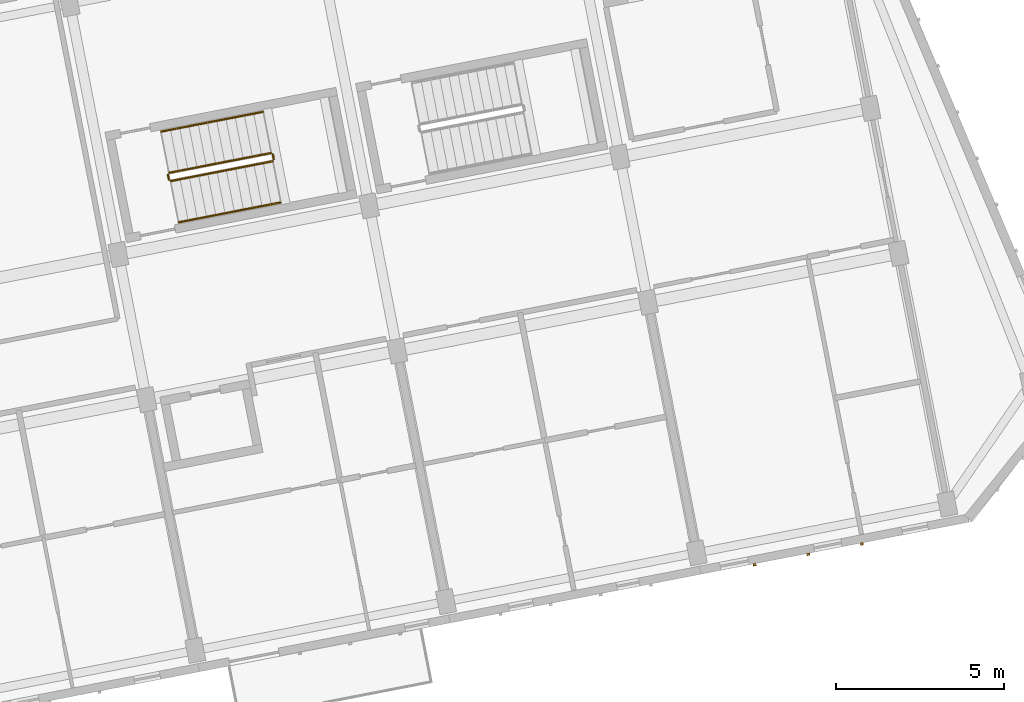
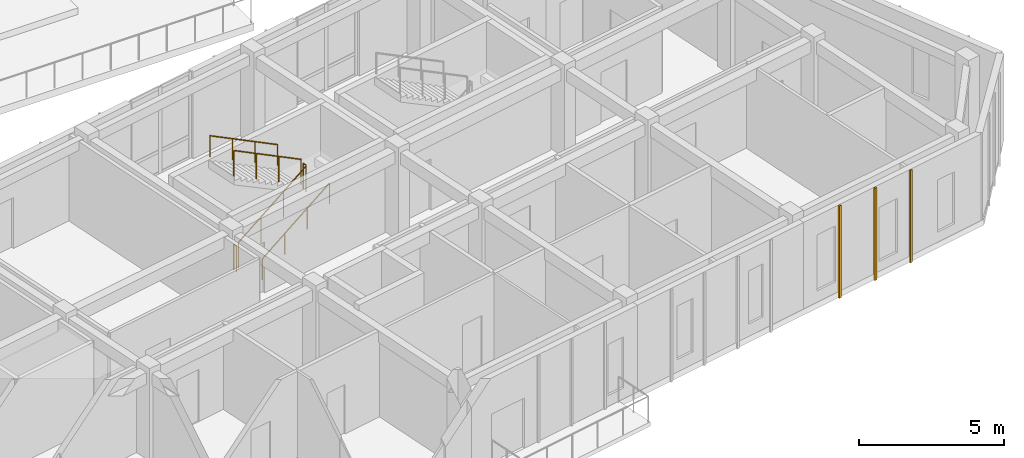
# One storey, part 142 of 150: 6 railings, 3 coverings.
"""IFC4 building model written with IfcOpenShell, lengths in metres."""

import ifcopenshell
import ifcopenshell.guid

model = None  # the IFC model being written
_history = None  # IfcOwnerHistory: only IFC2X3 demands one
_inside = {}  # id of a spatial element -> (the spatial element, [elements in it])
_under = {}  # id of a project, library or spatial element -> (it, [spatial elements below it])
_declared = {}  # id of a project -> (the project, [libraries it declares])
_typed = {}  # id of a type object -> (the type object, [elements of that type])
_made_of = {}  # id of a material, layer set ... -> (it, [elements and type objects made of it])


def new_model(schema):
    """Start an empty IFC model of exactly this schema.

    Asked for "IFC4X3", IfcOpenShell would pick the latest addendum, in which some entities
    have other attributes; the version numbers below select the first issue.
    IFC2X3 requires an IfcOwnerHistory on every rooted entity: one is made here for all.
    """
    global model, _history
    if schema == "IFC4X3":
        model = ifcopenshell.file(schema_version=(4, 3, 0, 0))
    else:
        model = ifcopenshell.file(schema=schema)
    _inside.clear()
    _under.clear()
    _declared.clear()
    _typed.clear()
    _made_of.clear()
    _history = None
    if model.schema == "IFC2X3":
        org = make("IfcOrganization", Name="unknown")
        user = make(
            "IfcPersonAndOrganization",
            ThePerson=make("IfcPerson", FamilyName="unknown"),
            TheOrganization=org,
        )
        app = make(
            "IfcApplication",
            ApplicationDeveloper=org,
            Version="unknown",
            ApplicationFullName="unknown",
            ApplicationIdentifier="unknown",
        )
        _history = make(
            "IfcOwnerHistory",
            OwningUser=user,
            OwningApplication=app,
            ChangeAction="ADDED",
            CreationDate=0,
        )
    return model


def make(cls, **values):
    """One entity of the class cls with the attributes given. An attribute that is None is left unset."""
    return model.create_entity(
        cls, **{name: value for name, value in values.items() if value is not None}
    )


def rooted(cls, **values):
    """An entity with a GlobalId (a new one), such as an element, a storey or a relation."""
    return make(cls, GlobalId=ifcopenshell.guid.new(), OwnerHistory=_history, **values)


def si_unit(unit_type, name, prefix=None):
    """IfcSIUnit, for example si_unit("LENGTHUNIT", "METRE", prefix="MILLI")."""
    return make("IfcSIUnit", UnitType=unit_type, Prefix=prefix, Name=name)


def assignment(units):
    """IfcUnitAssignment: the units of a project."""
    return None if units is None else make("IfcUnitAssignment", Units=units)


def point(xyz):
    """IfcCartesianPoint."""
    return None if xyz is None else make("IfcCartesianPoint", Coordinates=xyz)


def direction(xyz):
    """IfcDirection."""
    return None if xyz is None else make("IfcDirection", DirectionRatios=xyz)


def frame(location, z_axis=None, x_axis=None):
    """IfcAxis2Placement3D, a coordinate frame: its origin and axes. An axis left out is left unset."""
    return make(
        "IfcAxis2Placement3D",
        Location=point(location),
        Axis=direction(z_axis),
        RefDirection=direction(x_axis),
    )


def frame_2d(location, x_axis=None):
    """IfcAxis2Placement2D, a coordinate frame in the plane: its origin and x axis."""
    return make(
        "IfcAxis2Placement2D", Location=point(location), RefDirection=direction(x_axis)
    )


def origin():
    """The frame at (0, 0, 0) with its axes left unset."""
    return frame((0.0, 0.0, 0.0))


def origin_2d():
    """The frame at (0, 0) in the plane with its x axis left unset."""
    return frame_2d((0.0, 0.0))


def place(relative_to, where):
    """IfcLocalPlacement: puts the frame where relative to a parent placement (None: the world)."""
    return make(
        "IfcLocalPlacement", PlacementRelTo=relative_to, RelativePlacement=where
    )


def context(
    kind, dimensions, precision=None, world=None, true_north=None, identifier=None
):
    """IfcGeometricRepresentationContext, for example the 3D "Model" context."""
    return make(
        "IfcGeometricRepresentationContext",
        ContextIdentifier=identifier,
        ContextType=kind,
        CoordinateSpaceDimension=dimensions,
        Precision=precision,
        WorldCoordinateSystem=world,
        TrueNorth=true_north,
    )


def subcontext(parent, identifier, kind, view, scale=None):
    """IfcGeometricRepresentationSubContext, for example "Body" below "Model"."""
    return make(
        "IfcGeometricRepresentationSubContext",
        ContextIdentifier=identifier,
        ContextType=kind,
        ParentContext=parent,
        TargetScale=scale,
        TargetView=view,
    )


def project(units=None, contexts=None):
    """IfcProject with its units and contexts."""
    return rooted(
        "IfcProject",
        Name="project",
        RepresentationContexts=contexts,
        UnitsInContext=assignment(units),
    )


def spatial(cls, under=None, at=None, **own):
    """A site, building, storey or space (cls), placed at a placement, below another one or the project."""
    s = rooted(cls, ObjectPlacement=at, **own)
    if under is not None:
        _under.setdefault(under.id(), (under, []))[1].append(s)
    return s


def profile(cls, at=None, kind="AREA", **sizes):
    """A parametric profile (cls). Its sizes go by their IFC names, for example OverallWidth=200.0."""
    return make(cls, ProfileType=kind, Position=at, **sizes)


def rectangle(**sizes):
    """IfcRectangleProfileDef."""
    return profile("IfcRectangleProfileDef", **sizes)


def circle(**sizes):
    """IfcCircleProfileDef."""
    return profile("IfcCircleProfileDef", **sizes)


def extrude(swept, where, along, depth):
    """IfcExtrudedAreaSolid: the profile swept, set in the frame where, extruded along a direction by depth."""
    return make(
        "IfcExtrudedAreaSolid",
        SweptArea=swept,
        Position=where,
        ExtrudedDirection=direction(along),
        Depth=depth,
    )


def shape(context_of_items, identifier, shape_type, items):
    """IfcShapeRepresentation: the items that make up one representation, for example the "Body"."""
    return make(
        "IfcShapeRepresentation",
        ContextOfItems=context_of_items,
        RepresentationIdentifier=identifier,
        RepresentationType=shape_type,
        Items=items,
    )


def material(Name=None, Category=None):
    """IfcMaterial."""
    return make("IfcMaterial", Name=Name, Category=Category)


def layer(
    of_material, thickness, ventilated=None, Name=None, Category=None, Priority=None
):
    """IfcMaterialLayer: one layer of a wall or slab, of a material (None: an air gap)."""
    return make(
        "IfcMaterialLayer",
        Material=of_material,
        LayerThickness=thickness,
        IsVentilated=ventilated,
        Name=Name,
        Category=Category,
        Priority=Priority,
    )


def layer_set(layers, Name=None):
    """IfcMaterialLayerSet."""
    return make("IfcMaterialLayerSet", MaterialLayers=layers, LayerSetName=Name)


def made_of(thing, what):
    """Note that an element or type object is made of a material, layer set ...; save() writes the relation."""
    if what is not None:
        _made_of.setdefault(what.id(), (what, []))[1].append(thing)
    return thing


def type_object(cls, material=None, **own):
    """A type object (cls), such as IfcWallType, which elements share."""
    return made_of(rooted(cls, **own), material)


def element(
    cls,
    number,
    at=None,
    inside=None,
    cuts=None,
    type_object=None,
    material=None,
    context=None,
    identifier="Body",
    shape_type=None,
    held_by="IfcProductDefinitionShape",
    body=None,
    shapes=None,
    **own,
):
    """One element of the class cls, such as IfcWall. Its Tag is "e" and its number.

    at: its placement. inside: the storey or other place that contains it. cuts: it is an
    opening in that element (IfcRelVoidsElement). A single representation is given by context,
    identifier, shape_type and body (its items); several are given by shapes. held_by: the class
    of the entity that holds the representations. save() writes the other relations.
    """
    e = rooted(cls, Tag="e%d" % number, ObjectPlacement=at, **own)
    if body is not None:
        shapes = [shape(context, identifier, shape_type, body)]
    if shapes is not None:
        e.Representation = make(held_by, Representations=shapes)
    if inside is not None:
        _inside.setdefault(inside.id(), (inside, []))[1].append(e)
    if cuts is not None:
        rooted(
            "IfcRelVoidsElement", RelatingBuildingElement=cuts, RelatedOpeningElement=e
        )
    if type_object is not None:
        _typed.setdefault(type_object.id(), (type_object, []))[1].append(e)
    return made_of(e, material)


def aggregate(whole, parts):
    """IfcRelAggregates: a whole, such as a stair, and the parts it consists of."""
    return rooted("IfcRelAggregates", RelatingObject=whole, RelatedObjects=parts)


def save(model, path):
    """Write the relations noted so far, then the file.

    IfcRelAggregates (storeys below a building ...), IfcRelContainedInSpatialStructure (elements
    in a storey), IfcRelDefinesByType, IfcRelAssociatesMaterial and IfcRelDeclares: one each for
    every whole, place, type object, material and project.
    """
    for whole, parts in _under.values():
        aggregate(whole, parts)
    for where, things in _inside.values():
        rooted(
            "IfcRelContainedInSpatialStructure",
            RelatedElements=things,
            RelatingStructure=where,
        )
    for kind, things in _typed.values():
        rooted("IfcRelDefinesByType", RelatedObjects=things, RelatingType=kind)
    for what, things in _made_of.values():
        rooted("IfcRelAssociatesMaterial", RelatedObjects=things, RelatingMaterial=what)
    for by, libraries in _declared.values():
        rooted("IfcRelDeclares", RelatingContext=by, RelatedDefinitions=libraries)
    model.write(path)


model = new_model("IFC4")

# Units and contexts
model_context = context("Model", 3, precision=1e-05, world=origin(), true_north=direction((0.0, 1.0)))
body_context = subcontext(model_context, "Body", "Model", "MODEL_VIEW")
ifc_project = project(units=[si_unit("LENGTHUNIT", "METRE"), si_unit("AREAUNIT", "SQUARE_METRE"), si_unit("VOLUMEUNIT", "CUBIC_METRE"), si_unit("PLANEANGLEUNIT", "RADIAN"), si_unit("MASSUNIT", "GRAM", prefix="KILO")], contexts=[model_context])

# Site, building, storey
site_placement = place(None, origin())
site = spatial("IfcSite", under=ifc_project, at=site_placement, CompositionType="ELEMENT")
building_placement = place(site_placement, origin())
building = spatial("IfcBuilding", under=site, at=building_placement, Name="Kestramere Prow Commons", CompositionType="ELEMENT")
storey_placement = place(building_placement, frame((0.0, 0.0, 4.5)))
storey = spatial("IfcBuildingStorey", under=building, at=storey_placement, Name="L01", CompositionType="ELEMENT", Elevation=4.5)

# Coverings
ifc_material_1 = material(Name="Weathered Zinc-Titanium Standing-Seam Cladding")
ifc_layer = layer(ifc_material_1, 0.074951171875)
ifc_layer_set = layer_set([ifc_layer], Name="Weathered Zinc-Titanium Standing-Seam Cladding")
covering_type = type_object("IfcCoveringType", Name="COV-CLAD-SEAM", PredefinedType="CLADDING", material=ifc_layer_set)
for number, where, z_axis, x_axis, name in (
    (1, (160.616455078125, 41.515869140625, -0.25), (0.0, 0.0, 1.0), (-0.981627183448, -0.190808995377, 0.0), "EW-D-L01-S-5 Standing-Seam Rib 2"),
    (2, (159.021484375, 41.205810546875, -0.25), (0.0, 0.0, 1.0), (-0.981627183448, -0.190808995377, 0.0), "EW-D-L01-S-5 Standing-Seam Rib 3"),
    (3, (157.42626953125, 40.895751953125, -0.25), (0.0, 0.0, 1.0), (-0.981627183448, -0.190808995377, 0.0), "EW-D-L01-S-5 Standing-Seam Rib 4"),
):
    element("IfcCovering", number, at=place(storey_placement, frame(where, z_axis=z_axis, x_axis=x_axis)), inside=storey, type_object=covering_type, Name=name, PredefinedType="CLADDING", context=body_context, shape_type="SweptSolid", body=[
        extrude(rectangle(XDim=0.0849609375, YDim=0.06494140625, at=origin_2d()), origin(), (0.0, 0.0, 1.0), 3.89990234375),
    ])

# Railings
ifc_material_2 = material(Name="Galvanised Steel S275JR", Category="steel")
railing_type_1 = type_object("IfcRailingType", Name="RL-ST-GR-1100", PredefinedType="GUARDRAIL", material=ifc_material_2)
railing_1_placement = place(storey_placement, frame((140.052490234375, 52.318115234375, 0.16259765625)))
element("IfcRailing", 4, at=railing_1_placement, inside=storey, type_object=railing_type_1, Name="L01 ST-D1 stair guard 1", PredefinedType="GUARDRAIL", context=body_context, shape_type="SweptSolid", body=[
    extrude(circle(Radius=0.02392578125, at=origin_2d()), frame((0.0, 0.0, 1.076171875), z_axis=(0.849027832421, 0.165020186744, 0.501916405132), x_axis=(-0.190793280275, 0.981630238023, 0.0)), (0.0, 0.0, 1.0), 3.56103515625),
    extrude(circle(Radius=0.02099609375, at=origin_2d()), origin(), (0.0, 0.0, 1.0), 1.052001953125),
    extrude(circle(Radius=0.02099609375, at=origin_2d()), frame((1.0078125, 0.19580078125, 0.595703125)), (0.0, 0.0, 1.0), 1.052001953125),
    extrude(circle(Radius=0.02099609375, at=origin_2d()), frame((2.015625, 0.391845703125, 1.191650390625)), (0.0, 0.0, 1.0), 1.052001953125),
    extrude(circle(Radius=0.02099609375, at=origin_2d()), frame((3.0234375, 0.587646484375, 1.787353515625)), (0.0, 0.0, 1.0), 1.052001953125),
])
railing_2_placement = place(storey_placement, frame((143.115478515625, 52.96435546875, 1.949951171875)))
element("IfcRailing", 5, at=railing_2_placement, inside=storey, type_object=railing_type_1, Name="L01 ST-D1 stair guard 2", PredefinedType="GUARDRAIL", context=body_context, shape_type="SweptSolid", body=[
    extrude(circle(Radius=0.02392578125, at=origin_2d()), frame((0.0, 0.0, 1.076171875), z_axis=(-0.190477468355, 0.981691567677, 0.0), x_axis=(-0.981691567677, -0.190477468355, 0.0)), (0.0, 0.0, 1.0), 0.14990234375),
    extrude(circle(Radius=0.02099609375, at=origin_2d()), origin(), (0.0, 0.0, 1.0), 1.052001953125),
    extrude(circle(Radius=0.02099609375, at=origin_2d()), frame((-0.028564453125, 0.147216796875, 0.0)), (0.0, 0.0, 1.0), 1.052001953125),
])
railing_3_placement = place(storey_placement, frame((143.0283203125, 53.151123046875, 2.112548828125)))
element("IfcRailing", 6, at=railing_3_placement, inside=storey, type_object=railing_type_1, Name="L01 ST-D1 stair guard 3", PredefinedType="GUARDRAIL", context=body_context, shape_type="SweptSolid", body=[
    extrude(circle(Radius=0.02392578125, at=origin_2d()), frame((0.0, 0.0, 1.076171875), z_axis=(-0.849027832421, -0.165020186744, 0.501916405132), x_axis=(0.190793280275, -0.981630238023, 0.0)), (0.0, 0.0, 1.0), 3.56103515625),
    extrude(circle(Radius=0.02099609375, at=origin_2d()), origin(), (0.0, 0.0, 1.0), 1.052001953125),
    extrude(circle(Radius=0.02099609375, at=origin_2d()), frame((-1.0078125, -0.19580078125, 0.595703125)), (0.0, 0.0, 1.0), 1.052001953125),
    extrude(circle(Radius=0.02099609375, at=origin_2d()), frame((-2.015625, -0.391845703125, 1.191650390625)), (0.0, 0.0, 1.0), 1.052001953125),
    extrude(circle(Radius=0.02099609375, at=origin_2d()), frame((-3.0234375, -0.587646484375, 1.787353515625)), (0.0, 0.0, 1.0), 1.052001953125),
])
railing_4_placement = place(storey_placement, frame((139.993896484375, 52.357666015625, 0.0)))
element("IfcRailing", 7, at=railing_4_placement, inside=storey, type_object=railing_type_1, Name="L01 ST-D1 stair guard 4", PredefinedType="GUARDRAIL", context=body_context, shape_type="SweptSolid", body=[
    extrude(circle(Radius=0.02392578125, at=origin_2d()), frame((0.0, 0.0, 1.076171875), z_axis=(-0.190477468355, 0.981691567677, 0.0), x_axis=(-0.981691567677, -0.190477468355, 0.0)), (0.0, 0.0, 1.0), 0.14990234375),
    extrude(circle(Radius=0.02099609375, at=origin_2d()), origin(), (0.0, 0.0, 1.0), 1.052001953125),
    extrude(circle(Radius=0.02099609375, at=origin_2d()), frame((-0.028564453125, 0.147216796875, 0.0)), (0.0, 0.0, 1.0), 1.052001953125),
])
ifc_material_3 = material(Name="Stainless Steel 304", Category="steel")
railing_type_2 = type_object("IfcRailingType", Name="RL-ST-HR-900", PredefinedType="HANDRAIL", material=ifc_material_3)
railing_5_placement = place(storey_placement, frame((140.291015625, 51.091064453125, 0.324951171875)))
element("IfcRailing", 8, at=railing_5_placement, inside=storey, type_object=railing_type_2, Name="L01 ST-D1 stair handrail 1", PredefinedType="HANDRAIL", context=body_context, shape_type="SweptSolid", body=[
    extrude(circle(Radius=0.02392578125, at=origin_2d()), frame((0.0, 0.0, 0.8759765625), z_axis=(0.848998616368, 0.165014508204, 0.501967689684), x_axis=(-0.190793280275, 0.981630238023, 0.0)), (0.0, 0.0, 1.0), 3.561279296875),
    extrude(circle(Radius=0.02099609375, at=origin_2d()), origin(), (0.0, 0.0, 1.0), 0.851806640625),
    extrude(circle(Radius=0.02099609375, at=origin_2d()), frame((1.0078125, 0.19580078125, 0.595947265625)), (0.0, 0.0, 1.0), 0.851806640625),
    extrude(circle(Radius=0.02099609375, at=origin_2d()), frame((2.015625, 0.391845703125, 1.191650390625)), (0.0, 0.0, 1.0), 0.851806640625),
    extrude(circle(Radius=0.02099609375, at=origin_2d()), frame((3.0234375, 0.587646484375, 1.78759765625)), (0.0, 0.0, 1.0), 0.851806640625),
])
railing_6_placement = place(storey_placement, frame((142.789794921875, 54.378173828125, 2.27490234375)))
element("IfcRailing", 9, at=railing_6_placement, inside=storey, type_object=railing_type_2, Name="L01 ST-D1 stair handrail 2", PredefinedType="HANDRAIL", context=body_context, shape_type="SweptSolid", body=[
    extrude(circle(Radius=0.02392578125, at=origin_2d()), frame((0.0, 0.0, 0.8759765625), z_axis=(-0.848998616368, -0.165014508204, 0.501967689684), x_axis=(0.190793280275, -0.981630238023, 0.0)), (0.0, 0.0, 1.0), 3.561279296875),
    extrude(circle(Radius=0.02099609375, at=origin_2d()), origin(), (0.0, 0.0, 1.0), 0.851806640625),
    extrude(circle(Radius=0.02099609375, at=origin_2d()), frame((-1.0078125, -0.19580078125, 0.595947265625)), (0.0, 0.0, 1.0), 0.851806640625),
    extrude(circle(Radius=0.02099609375, at=origin_2d()), frame((-2.015625, -0.391845703125, 1.191650390625)), (0.0, 0.0, 1.0), 0.851806640625),
    extrude(circle(Radius=0.02099609375, at=origin_2d()), frame((-3.0234375, -0.587646484375, 1.78759765625)), (0.0, 0.0, 1.0), 0.851806640625),
])

save(model, "model.ifc")
